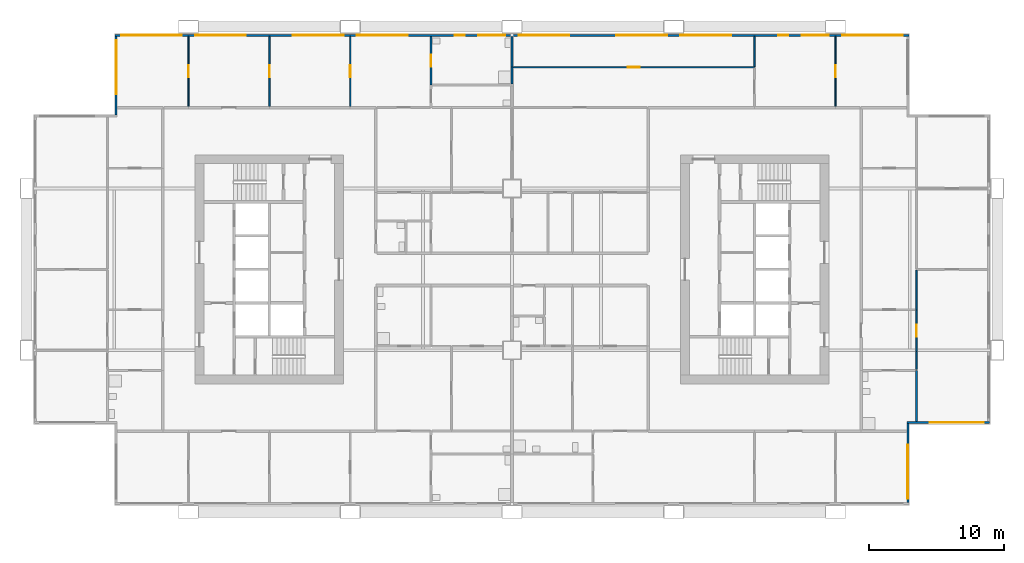
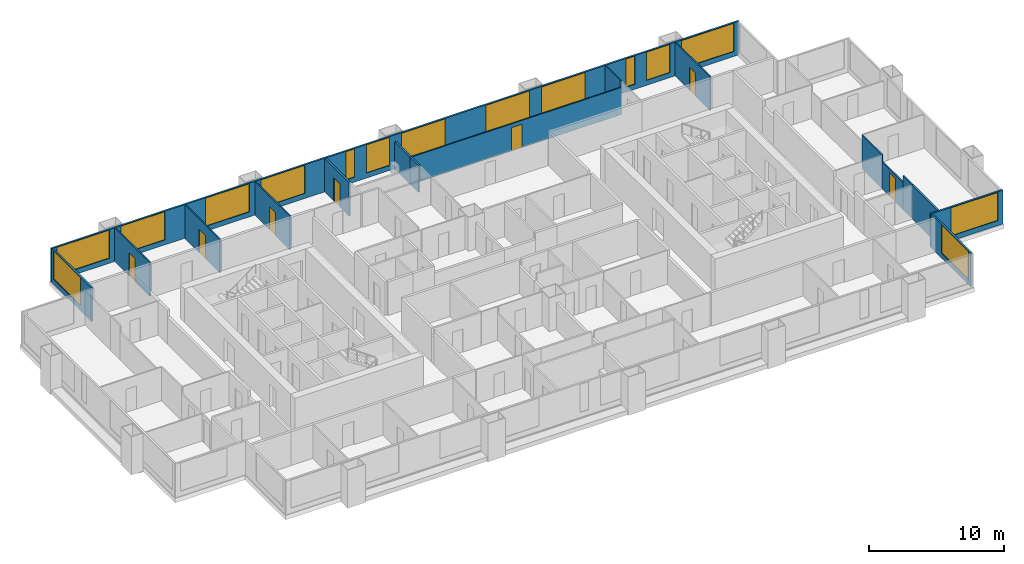
# One storey, part 8 of 11: 17 walls, 15 windows, 7 doors, 22 openings.
"""IFC4 building model written with IfcOpenShell, lengths in metres."""

import ifcopenshell
import ifcopenshell.guid

model = None  # the IFC model being written
_history = None  # IfcOwnerHistory: only IFC2X3 demands one
_inside = {}  # id of a spatial element -> (the spatial element, [elements in it])
_under = {}  # id of a project, library or spatial element -> (it, [spatial elements below it])
_declared = {}  # id of a project -> (the project, [libraries it declares])
_typed = {}  # id of a type object -> (the type object, [elements of that type])
_made_of = {}  # id of a material, layer set ... -> (it, [elements and type objects made of it])


def new_model(schema):
    """Start an empty IFC model of exactly this schema.

    Asked for "IFC4X3", IfcOpenShell would pick the latest addendum, in which some entities
    have other attributes; the version numbers below select the first issue.
    IFC2X3 requires an IfcOwnerHistory on every rooted entity: one is made here for all.
    """
    global model, _history
    if schema == "IFC4X3":
        model = ifcopenshell.file(schema_version=(4, 3, 0, 0))
    else:
        model = ifcopenshell.file(schema=schema)
    _inside.clear()
    _under.clear()
    _declared.clear()
    _typed.clear()
    _made_of.clear()
    _history = None
    if model.schema == "IFC2X3":
        org = make("IfcOrganization", Name="unknown")
        user = make(
            "IfcPersonAndOrganization",
            ThePerson=make("IfcPerson", FamilyName="unknown"),
            TheOrganization=org,
        )
        app = make(
            "IfcApplication",
            ApplicationDeveloper=org,
            Version="unknown",
            ApplicationFullName="unknown",
            ApplicationIdentifier="unknown",
        )
        _history = make(
            "IfcOwnerHistory",
            OwningUser=user,
            OwningApplication=app,
            ChangeAction="ADDED",
            CreationDate=0,
        )
    return model


def make(cls, **values):
    """One entity of the class cls with the attributes given. An attribute that is None is left unset."""
    return model.create_entity(
        cls, **{name: value for name, value in values.items() if value is not None}
    )


def rooted(cls, **values):
    """An entity with a GlobalId (a new one), such as an element, a storey or a relation."""
    return make(cls, GlobalId=ifcopenshell.guid.new(), OwnerHistory=_history, **values)


def si_unit(unit_type, name, prefix=None):
    """IfcSIUnit, for example si_unit("LENGTHUNIT", "METRE", prefix="MILLI")."""
    return make("IfcSIUnit", UnitType=unit_type, Prefix=prefix, Name=name)


def assignment(units):
    """IfcUnitAssignment: the units of a project."""
    return None if units is None else make("IfcUnitAssignment", Units=units)


def point(xyz):
    """IfcCartesianPoint."""
    return None if xyz is None else make("IfcCartesianPoint", Coordinates=xyz)


def direction(xyz):
    """IfcDirection."""
    return None if xyz is None else make("IfcDirection", DirectionRatios=xyz)


def frame(location, z_axis=None, x_axis=None):
    """IfcAxis2Placement3D, a coordinate frame: its origin and axes. An axis left out is left unset."""
    return make(
        "IfcAxis2Placement3D",
        Location=point(location),
        Axis=direction(z_axis),
        RefDirection=direction(x_axis),
    )


def frame_2d(location, x_axis=None):
    """IfcAxis2Placement2D, a coordinate frame in the plane: its origin and x axis."""
    return make(
        "IfcAxis2Placement2D", Location=point(location), RefDirection=direction(x_axis)
    )


def origin():
    """The frame at (0, 0, 0) with its axes left unset."""
    return frame((0.0, 0.0, 0.0))


def place(relative_to, where):
    """IfcLocalPlacement: puts the frame where relative to a parent placement (None: the world)."""
    return make(
        "IfcLocalPlacement", PlacementRelTo=relative_to, RelativePlacement=where
    )


def context(
    kind, dimensions, precision=None, world=None, true_north=None, identifier=None
):
    """IfcGeometricRepresentationContext, for example the 3D "Model" context."""
    return make(
        "IfcGeometricRepresentationContext",
        ContextIdentifier=identifier,
        ContextType=kind,
        CoordinateSpaceDimension=dimensions,
        Precision=precision,
        WorldCoordinateSystem=world,
        TrueNorth=true_north,
    )


def subcontext(parent, identifier, kind, view, scale=None):
    """IfcGeometricRepresentationSubContext, for example "Body" below "Model"."""
    return make(
        "IfcGeometricRepresentationSubContext",
        ContextIdentifier=identifier,
        ContextType=kind,
        ParentContext=parent,
        TargetScale=scale,
        TargetView=view,
    )


def project(units=None, contexts=None):
    """IfcProject with its units and contexts."""
    return rooted(
        "IfcProject",
        Name="project",
        RepresentationContexts=contexts,
        UnitsInContext=assignment(units),
    )


def spatial(cls, under=None, at=None, **own):
    """A site, building, storey or space (cls), placed at a placement, below another one or the project."""
    s = rooted(cls, ObjectPlacement=at, **own)
    if under is not None:
        _under.setdefault(under.id(), (under, []))[1].append(s)
    return s


def profile(cls, at=None, kind="AREA", **sizes):
    """A parametric profile (cls). Its sizes go by their IFC names, for example OverallWidth=200.0."""
    return make(cls, ProfileType=kind, Position=at, **sizes)


def rectangle(**sizes):
    """IfcRectangleProfileDef."""
    return profile("IfcRectangleProfileDef", **sizes)


def extrude(swept, where, along, depth):
    """IfcExtrudedAreaSolid: the profile swept, set in the frame where, extruded along a direction by depth."""
    return make(
        "IfcExtrudedAreaSolid",
        SweptArea=swept,
        Position=where,
        ExtrudedDirection=direction(along),
        Depth=depth,
    )


def shape(context_of_items, identifier, shape_type, items):
    """IfcShapeRepresentation: the items that make up one representation, for example the "Body"."""
    return make(
        "IfcShapeRepresentation",
        ContextOfItems=context_of_items,
        RepresentationIdentifier=identifier,
        RepresentationType=shape_type,
        Items=items,
    )


def material(Name=None, Category=None):
    """IfcMaterial."""
    return make("IfcMaterial", Name=Name, Category=Category)


def layer(
    of_material, thickness, ventilated=None, Name=None, Category=None, Priority=None
):
    """IfcMaterialLayer: one layer of a wall or slab, of a material (None: an air gap)."""
    return make(
        "IfcMaterialLayer",
        Material=of_material,
        LayerThickness=thickness,
        IsVentilated=ventilated,
        Name=Name,
        Category=Category,
        Priority=Priority,
    )


def layer_set(layers, Name=None):
    """IfcMaterialLayerSet."""
    return make("IfcMaterialLayerSet", MaterialLayers=layers, LayerSetName=Name)


def made_of(thing, what):
    """Note that an element or type object is made of a material, layer set ...; save() writes the relation."""
    if what is not None:
        _made_of.setdefault(what.id(), (what, []))[1].append(thing)
    return thing


def type_object(cls, material=None, **own):
    """A type object (cls), such as IfcWallType, which elements share."""
    return made_of(rooted(cls, **own), material)


def element(
    cls,
    number,
    at=None,
    inside=None,
    cuts=None,
    type_object=None,
    material=None,
    context=None,
    identifier="Body",
    shape_type=None,
    held_by="IfcProductDefinitionShape",
    body=None,
    shapes=None,
    **own,
):
    """One element of the class cls, such as IfcWall. Its Tag is "e" and its number.

    at: its placement. inside: the storey or other place that contains it. cuts: it is an
    opening in that element (IfcRelVoidsElement). A single representation is given by context,
    identifier, shape_type and body (its items); several are given by shapes. held_by: the class
    of the entity that holds the representations. save() writes the other relations.
    """
    e = rooted(cls, Tag="e%d" % number, ObjectPlacement=at, **own)
    if body is not None:
        shapes = [shape(context, identifier, shape_type, body)]
    if shapes is not None:
        e.Representation = make(held_by, Representations=shapes)
    if inside is not None:
        _inside.setdefault(inside.id(), (inside, []))[1].append(e)
    if cuts is not None:
        rooted(
            "IfcRelVoidsElement", RelatingBuildingElement=cuts, RelatedOpeningElement=e
        )
    if type_object is not None:
        _typed.setdefault(type_object.id(), (type_object, []))[1].append(e)
    return made_of(e, material)


def fill(opening, filler):
    """IfcRelFillsElement: the door or window that sits in an opening."""
    return rooted(
        "IfcRelFillsElement",
        RelatingOpeningElement=opening,
        RelatedBuildingElement=filler,
    )


def aggregate(whole, parts):
    """IfcRelAggregates: a whole, such as a stair, and the parts it consists of."""
    return rooted("IfcRelAggregates", RelatingObject=whole, RelatedObjects=parts)


def save(model, path):
    """Write the relations noted so far, then the file.

    IfcRelAggregates (storeys below a building ...), IfcRelContainedInSpatialStructure (elements
    in a storey), IfcRelDefinesByType, IfcRelAssociatesMaterial and IfcRelDeclares: one each for
    every whole, place, type object, material and project.
    """
    for whole, parts in _under.values():
        aggregate(whole, parts)
    for where, things in _inside.values():
        rooted(
            "IfcRelContainedInSpatialStructure",
            RelatedElements=things,
            RelatingStructure=where,
        )
    for kind, things in _typed.values():
        rooted("IfcRelDefinesByType", RelatedObjects=things, RelatingType=kind)
    for what, things in _made_of.values():
        rooted("IfcRelAssociatesMaterial", RelatedObjects=things, RelatingMaterial=what)
    for by, libraries in _declared.values():
        rooted("IfcRelDeclares", RelatingContext=by, RelatedDefinitions=libraries)
    model.write(path)


model = new_model("IFC4")

# Units and contexts
model_context = context("Model", 3, precision=1e-05, world=origin(), true_north=direction((0.0, 1.0)))
body_context = subcontext(model_context, "Body", "Model", "MODEL_VIEW")
ifc_project = project(units=[si_unit("LENGTHUNIT", "METRE"), si_unit("AREAUNIT", "SQUARE_METRE"), si_unit("VOLUMEUNIT", "CUBIC_METRE"), si_unit("PLANEANGLEUNIT", "RADIAN"), si_unit("MASSUNIT", "GRAM", prefix="KILO")], contexts=[model_context])

# Site, building, storey
site_placement = place(None, origin())
site = spatial("IfcSite", under=ifc_project, at=site_placement, CompositionType="ELEMENT")
building_placement = place(site_placement, origin())
building = spatial("IfcBuilding", under=site, at=building_placement, Name="Kitamizu Gate Tower and Museum", CompositionType="ELEMENT")
storey_placement = place(building_placement, frame((0.0, 0.0, 103.5)))
storey = spatial("IfcBuildingStorey", under=building, at=storey_placement, Name="L26", CompositionType="ELEMENT", Elevation=103.5)

# Wall, opening, door
ifc_material_1 = material(Name="Gypsum board on galvanised stud")
ifc_layer_1 = layer(ifc_material_1, 0.10009765625)
ifc_layer_set_1 = layer_set([ifc_layer_1], Name="Gypsum board on galvanised stud")
wall_type_1 = type_object("IfcWallType", Name="Partition 100 NOT RATED", PredefinedType="PARTITIONING", material=ifc_layer_set_1)
wall_1_placement = place(storey_placement, frame((66.0, 27.0, 0.0), z_axis=(0.0, 0.0, 1.0), x_axis=(0.0, -1.0, 0.0)))
wall_1 = element("IfcWall", 1, at=wall_1_placement, inside=storey, type_object=wall_type_1, Name="Partition L26-076", PredefinedType="PARTITIONING", context=body_context, shape_type="SweptSolid", body=[
    extrude(rectangle(XDim=3.10009765625, YDim=0.10009765625, at=frame_2d((1.550048828125, 0.0))), origin(), (0.0, 0.0, 1.0), 2.449951171875),
])
opening_1_placement = place(wall_1_placement, frame((1.10009765625, 0.0, 0.0)))
opening_1 = element("IfcOpeningElement", 2, at=opening_1_placement, cuts=wall_1, Name="Opening L26-030", PredefinedType="OPENING", context=body_context, shape_type="SweptSolid", body=[
    extrude(rectangle(XDim=0.89990234375, YDim=2.10009765625, at=frame_2d((0.449951171875, 1.050048828125))), frame((0.0, 0.06005859375, 0.0), z_axis=(0.0, -1.0, 0.0), x_axis=(1.0, 0.0, 0.0)), (0.0, 0.0, 1.0), 0.1201171875),
])
ifc_material_2 = material(Name="Timber door set", Category="wood")
door_type_1 = type_object("IfcDoorType", Name="Room door 900", OperationType="NOTDEFINED", PredefinedType="DOOR", material=ifc_material_2)
door_1_placement = place(opening_1_placement, origin())
door_1 = element("IfcDoor", 3, at=door_1_placement, inside=storey, type_object=door_type_1, Name="Door L26-030", OperationType="SINGLE_SWING_RIGHT", OverallHeight=2.10009765625, OverallWidth=0.89990234375, PredefinedType="DOOR", context=body_context, shape_type="SweptSolid", body=[
    extrude(rectangle(XDim=0.89990234375, YDim=2.10009765625, at=frame_2d((0.449951171875, 1.050048828125))), frame((0.0, 0.02490234375, 0.0), z_axis=(0.0, -1.0, 0.0), x_axis=(1.0, 0.0, 0.0)), (0.0, 0.0, 1.0), 0.050048828125),
])
fill(opening_1, door_1)

# Walls
wall_2_placement = place(storey_placement, frame((66.0, 23.89990234375, 0.0), z_axis=(0.0, 0.0, 1.0), x_axis=(0.0, -1.0, 0.0)))
element("IfcWall", 4, at=wall_2_placement, inside=storey, type_object=wall_type_1, Name="Partition L26-077", PredefinedType="PARTITIONING", context=body_context, shape_type="SweptSolid", body=[
    extrude(rectangle(XDim=1.324951171875, YDim=0.10009765625, at=frame_2d((0.66259765625, 0.0))), origin(), (0.0, 0.0, 1.0), 3.050048828125),
])
wall_3_placement = place(storey_placement, frame((66.0, 29.949951171875, 0.0), z_axis=(0.0, 0.0, 1.0), x_axis=(0.0, -1.0, 0.0)))
element("IfcWall", 5, at=wall_3_placement, inside=storey, type_object=wall_type_1, Name="Partition L26-078", PredefinedType="PARTITIONING", context=body_context, shape_type="SweptSolid", body=[
    extrude(rectangle(XDim=2.949951171875, YDim=0.10009765625, at=frame_2d((1.47509765625, 0.0))), origin(), (0.0, 0.0, 1.0), 3.050048828125),
])

# Wall, opening, door
wall_4_placement = place(storey_placement, frame((12.0, 42.10009765625, 0.0), z_axis=(0.0, 0.0, 1.0), x_axis=(0.0, 1.0, 0.0)))
wall_4 = element("IfcWall", 6, at=wall_4_placement, inside=storey, type_object=wall_type_1, Name="Partition L26-093", PredefinedType="PARTITIONING", context=body_context, shape_type="SweptSolid", body=[
    extrude(rectangle(XDim=5.179931640625, YDim=0.10009765625, at=frame_2d((2.58984375, 0.0))), origin(), (0.0, 0.0, 1.0), 3.050048828125),
])
opening_2_placement = place(wall_4_placement, frame((2.139892578125, 0.0, 0.0)))
opening_2 = element("IfcOpeningElement", 7, at=opening_2_placement, cuts=wall_4, Name="Opening L26-037", PredefinedType="OPENING", context=body_context, shape_type="SweptSolid", body=[
    extrude(rectangle(XDim=0.89990234375, YDim=2.10009765625, at=frame_2d((0.449951171875, 1.050048828125))), frame((0.0, 0.06005859375, 0.0), z_axis=(0.0, -1.0, 0.0), x_axis=(1.0, 0.0, 0.0)), (0.0, 0.0, 1.0), 0.1201171875),
])
door_2_placement = place(opening_2_placement, origin())
door_2 = element("IfcDoor", 8, at=door_2_placement, inside=storey, type_object=door_type_1, Name="Door L26-037", OperationType="SINGLE_SWING_LEFT", OverallHeight=2.10009765625, OverallWidth=0.89990234375, PredefinedType="DOOR", context=body_context, shape_type="SweptSolid", body=[
    extrude(rectangle(XDim=0.89990234375, YDim=2.10009765625, at=frame_2d((0.449951171875, 1.050048828125))), frame((0.0, 0.02490234375, 0.0), z_axis=(0.0, -1.0, 0.0), x_axis=(1.0, 0.0, 0.0)), (0.0, 0.0, 1.0), 0.050048828125),
])
fill(opening_2, door_2)

wall_5_placement = place(storey_placement, frame((18.0, 42.10009765625, 0.0), z_axis=(0.0, 0.0, 1.0), x_axis=(0.0, 1.0, 0.0)))
wall_5 = element("IfcWall", 9, at=wall_5_placement, inside=storey, type_object=wall_type_1, Name="Partition L26-095", PredefinedType="PARTITIONING", context=body_context, shape_type="SweptSolid", body=[
    extrude(rectangle(XDim=5.179931640625, YDim=0.10009765625, at=frame_2d((2.58984375, 0.0))), origin(), (0.0, 0.0, 1.0), 3.050048828125),
])
opening_3_placement = place(wall_5_placement, frame((2.139892578125, 0.0, 0.0)))
opening_3 = element("IfcOpeningElement", 10, at=opening_3_placement, cuts=wall_5, Name="Opening L26-038", PredefinedType="OPENING", context=body_context, shape_type="SweptSolid", body=[
    extrude(rectangle(XDim=0.89990234375, YDim=2.10009765625, at=frame_2d((0.449951171875, 1.050048828125))), frame((0.0, 0.06005859375, 0.0), z_axis=(0.0, -1.0, 0.0), x_axis=(1.0, 0.0, 0.0)), (0.0, 0.0, 1.0), 0.1201171875),
])
door_3_placement = place(opening_3_placement, frame((0.89990234375, 0.0, 0.0), x_axis=(-1.0, 0.0, 0.0)))
door_3 = element("IfcDoor", 11, at=door_3_placement, inside=storey, type_object=door_type_1, Name="Door L26-038", OperationType="SINGLE_SWING_LEFT", OverallHeight=2.10009765625, OverallWidth=0.89990234375, PredefinedType="DOOR", context=body_context, shape_type="SweptSolid", body=[
    extrude(rectangle(XDim=0.89990234375, YDim=2.10009765625, at=frame_2d((0.449951171875, 1.050048828125))), frame((0.0, 0.02490234375, 0.0), z_axis=(0.0, -1.0, 0.0), x_axis=(1.0, 0.0, 0.0)), (0.0, 0.0, 1.0), 0.050048828125),
])
fill(opening_3, door_3)

wall_6_placement = place(storey_placement, frame((24.0, 42.10009765625, 0.0), z_axis=(0.0, 0.0, 1.0), x_axis=(0.0, 1.0, 0.0)))
wall_6 = element("IfcWall", 12, at=wall_6_placement, inside=storey, type_object=wall_type_1, Name="Partition L26-097", PredefinedType="PARTITIONING", context=body_context, shape_type="SweptSolid", body=[
    extrude(rectangle(XDim=5.179931640625, YDim=0.10009765625, at=frame_2d((2.58984375, 0.0))), origin(), (0.0, 0.0, 1.0), 3.050048828125),
])
opening_4_placement = place(wall_6_placement, frame((2.139892578125, 0.0, 0.0)))
opening_4 = element("IfcOpeningElement", 13, at=opening_4_placement, cuts=wall_6, Name="Opening L26-039", PredefinedType="OPENING", context=body_context, shape_type="SweptSolid", body=[
    extrude(rectangle(XDim=0.89990234375, YDim=2.10009765625, at=frame_2d((0.449951171875, 1.050048828125))), frame((0.0, 0.06005859375, 0.0), z_axis=(0.0, -1.0, 0.0), x_axis=(1.0, 0.0, 0.0)), (0.0, 0.0, 1.0), 0.1201171875),
])
door_4_placement = place(opening_4_placement, origin())
door_4 = element("IfcDoor", 14, at=door_4_placement, inside=storey, type_object=door_type_1, Name="Door L26-039", OperationType="SINGLE_SWING_LEFT", OverallHeight=2.10009765625, OverallWidth=0.89990234375, PredefinedType="DOOR", context=body_context, shape_type="SweptSolid", body=[
    extrude(rectangle(XDim=0.89990234375, YDim=2.10009765625, at=frame_2d((0.449951171875, 1.050048828125))), frame((0.0, 0.02490234375, 0.0), z_axis=(0.0, -1.0, 0.0), x_axis=(1.0, 0.0, 0.0)), (0.0, 0.0, 1.0), 0.050048828125),
])
fill(opening_4, door_4)

wall_7_placement = place(storey_placement, frame((54.0, 45.0, 0.0), z_axis=(0.0, 0.0, 1.0), x_axis=(-1.0, 0.0, 0.0)))
wall_7 = element("IfcWall", 15, at=wall_7_placement, inside=storey, type_object=wall_type_1, Name="Partition L26-109", PredefinedType="PARTITIONING", context=body_context, shape_type="SweptSolid", body=[
    extrude(rectangle(XDim=17.925048828125, YDim=0.10009765625, at=frame_2d((8.96240234375, 0.0))), origin(), (0.0, 0.0, 1.0), 2.449951171875),
])
opening_5_placement = place(wall_7_placement, frame((8.512451171875, 0.0, 0.0)))
opening_5 = element("IfcOpeningElement", 16, at=opening_5_placement, cuts=wall_7, Name="Opening L26-051", PredefinedType="OPENING", context=body_context, shape_type="SweptSolid", body=[
    extrude(rectangle(XDim=0.89990234375, YDim=2.10009765625, at=frame_2d((0.449951171875, 1.050048828125))), frame((0.0, 0.06005859375, 0.0), z_axis=(0.0, -1.0, 0.0), x_axis=(1.0, 0.0, 0.0)), (0.0, 0.0, 1.0), 0.1201171875),
])
door_5_placement = place(opening_5_placement, frame((0.89990234375, 0.0, 0.0), x_axis=(-1.0, 0.0, 0.0)))
door_5 = element("IfcDoor", 17, at=door_5_placement, inside=storey, type_object=door_type_1, Name="Door L26-051", OperationType="SINGLE_SWING_LEFT", OverallHeight=2.10009765625, OverallWidth=0.89990234375, PredefinedType="DOOR", context=body_context, shape_type="SweptSolid", body=[
    extrude(rectangle(XDim=0.89990234375, YDim=2.10009765625, at=frame_2d((0.449951171875, 1.050048828125))), frame((0.0, 0.02490234375, 0.0), z_axis=(0.0, -1.0, 0.0), x_axis=(1.0, 0.0, 0.0)), (0.0, 0.0, 1.0), 0.050048828125),
])
fill(opening_5, door_5)

# Wall
wall_8_placement = place(storey_placement, frame((54.0, 45.050048828125, 0.0), z_axis=(0.0, 0.0, 1.0), x_axis=(0.0, 1.0, 0.0)))
element("IfcWall", 18, at=wall_8_placement, inside=storey, type_object=wall_type_1, Name="Partition L26-113", PredefinedType="PARTITIONING", context=body_context, shape_type="SweptSolid", body=[
    extrude(rectangle(XDim=2.22998046875, YDim=0.10009765625, at=frame_2d((1.114990234375, 0.0))), origin(), (0.0, 0.0, 1.0), 3.050048828125),
])

# Wall, opening, door
wall_9_placement = place(storey_placement, frame((60.0, 42.10009765625, 0.0), z_axis=(0.0, 0.0, 1.0), x_axis=(0.0, 1.0, 0.0)))
wall_9 = element("IfcWall", 19, at=wall_9_placement, inside=storey, type_object=wall_type_1, Name="Partition L26-114", PredefinedType="PARTITIONING", context=body_context, shape_type="SweptSolid", body=[
    extrude(rectangle(XDim=5.179931640625, YDim=0.10009765625, at=frame_2d((2.58984375, 0.0))), origin(), (0.0, 0.0, 1.0), 3.050048828125),
])
opening_6_placement = place(wall_9_placement, frame((2.139892578125, 0.0, 0.0)))
opening_6 = element("IfcOpeningElement", 20, at=opening_6_placement, cuts=wall_9, Name="Opening L26-053", PredefinedType="OPENING", context=body_context, shape_type="SweptSolid", body=[
    extrude(rectangle(XDim=0.89990234375, YDim=2.10009765625, at=frame_2d((0.449951171875, 1.050048828125))), frame((0.0, 0.06005859375, 0.0), z_axis=(0.0, -1.0, 0.0), x_axis=(1.0, 0.0, 0.0)), (0.0, 0.0, 1.0), 0.1201171875),
])
door_6_placement = place(opening_6_placement, frame((0.89990234375, 0.0, 0.0), x_axis=(-1.0, 0.0, 0.0)))
door_6 = element("IfcDoor", 21, at=door_6_placement, inside=storey, type_object=door_type_1, Name="Door L26-053", OperationType="SINGLE_SWING_RIGHT", OverallHeight=2.10009765625, OverallWidth=0.89990234375, PredefinedType="DOOR", context=body_context, shape_type="SweptSolid", body=[
    extrude(rectangle(XDim=0.89990234375, YDim=2.10009765625, at=frame_2d((0.449951171875, 1.050048828125))), frame((0.0, 0.02490234375, 0.0), z_axis=(0.0, -1.0, 0.0), x_axis=(1.0, 0.0, 0.0)), (0.0, 0.0, 1.0), 0.050048828125),
])
fill(opening_6, door_6)

# Wall
ifc_material_3 = material(Name="Gypsum board on galvanised stud")
ifc_layer_2 = layer(ifc_material_3, 0.14990234375)
ifc_layer_set_2 = layer_set([ifc_layer_2], Name="Gypsum board on galvanised stud")
wall_type_2 = type_object("IfcWallType", Name="Partition 150", PredefinedType="PARTITIONING", material=ifc_layer_set_2)
wall_10_placement = place(storey_placement, frame((66.0, 22.5, 0.0), z_axis=(0.0, 0.0, 1.0), x_axis=(0.0, -1.0, 0.0)))
element("IfcWall", 22, at=wall_10_placement, inside=storey, type_object=wall_type_2, Name="Partition L26-075", PredefinedType="PARTITIONING", context=body_context, shape_type="SweptSolid", body=[
    extrude(rectangle(XDim=3.780029296875, YDim=0.14990234375, at=frame_2d((1.89013671875, 0.0))), origin(), (0.0, 0.0, 1.0), 3.050048828125),
])

# Wall, opening, door
wall_11_placement = place(storey_placement, frame((30.0, 43.679931640625, 0.0), z_axis=(0.0, 0.0, 1.0), x_axis=(0.0, 1.0, 0.0)))
wall_11 = element("IfcWall", 23, at=wall_11_placement, inside=storey, type_object=wall_type_2, Name="Partition L26-099", PredefinedType="PARTITIONING", context=body_context, shape_type="SweptSolid", body=[
    extrude(rectangle(XDim=3.60009765625, YDim=0.14990234375, at=frame_2d((1.800048828125, 0.0))), origin(), (0.0, 0.0, 1.0), 3.050048828125),
])
opening_7_placement = place(wall_11_placement, frame((1.35009765625, 0.0, 0.0)))
opening_7 = element("IfcOpeningElement", 24, at=opening_7_placement, cuts=wall_11, Name="Opening L26-040", PredefinedType="OPENING", context=body_context, shape_type="SweptSolid", body=[
    extrude(rectangle(XDim=0.89990234375, YDim=2.10009765625, at=frame_2d((0.449951171875, 1.050048828125))), frame((0.0, 0.0849609375, 0.0), z_axis=(0.0, -1.0, 0.0), x_axis=(1.0, 0.0, 0.0)), (0.0, 0.0, 1.0), 0.169921875),
])
ifc_material_4 = material(Name="Timber door set", Category="wood")
door_type_2 = type_object("IfcDoorType", Name="Bathroom door 900", OperationType="NOTDEFINED", PredefinedType="DOOR", material=ifc_material_4)
door_7_placement = place(opening_7_placement, frame((0.89990234375, 0.0, 0.0), x_axis=(-1.0, 0.0, 0.0)))
door_7 = element("IfcDoor", 25, at=door_7_placement, inside=storey, type_object=door_type_2, Name="Bathroom door L26-040", OperationType="SINGLE_SWING_LEFT", OverallHeight=2.10009765625, OverallWidth=0.89990234375, PredefinedType="DOOR", context=body_context, shape_type="SweptSolid", body=[
    extrude(rectangle(XDim=0.89990234375, YDim=2.10009765625, at=frame_2d((0.449951171875, 1.050048828125))), frame((0.0, 0.02490234375, 0.0), z_axis=(0.0, -1.0, 0.0), x_axis=(1.0, 0.0, 0.0)), (0.0, 0.0, 1.0), 0.050048828125),
])
fill(opening_7, door_7)

# Walls
wall_12_placement = place(storey_placement, frame((36.0, 43.7548828125, 0.0), z_axis=(0.0, 0.0, 1.0), x_axis=(0.0, 1.0, 0.0)))
element("IfcWall", 26, at=wall_12_placement, inside=storey, type_object=wall_type_2, Name="Partition L26-104", PredefinedType="PARTITIONING", context=body_context, shape_type="SweptSolid", body=[
    extrude(rectangle(XDim=1.2451171875, YDim=0.14990234375, at=frame_2d((0.62255859375, 0.0))), origin(), (0.0, 0.0, 1.0), 2.449951171875),
])
wall_13_placement = place(storey_placement, frame((36.0, 45.0, 0.0), z_axis=(0.0, 0.0, 1.0), x_axis=(0.0, 1.0, 0.0)))
element("IfcWall", 27, at=wall_13_placement, inside=storey, type_object=wall_type_2, Name="Partition L26-105", PredefinedType="PARTITIONING", context=body_context, shape_type="SweptSolid", body=[
    extrude(rectangle(XDim=2.280029296875, YDim=0.14990234375, at=frame_2d((1.14013671875, 0.0))), origin(), (0.0, 0.0, 1.0), 2.449951171875),
])

# Wall, opening, window
ifc_material_5 = material(Name="Bronze anodised aluminium frame with insulated spandrel and tinted glass", Category="aluminium")
ifc_layer_3 = layer(ifc_material_5, 0.14990234375)
ifc_layer_set_3 = layer_set([ifc_layer_3], Name="Bronze anodised aluminium frame with insulated spandrel and tinted glass")
wall_type_3 = type_object("IfcWallType", Name="WINDOW WALL 150 BRONZE FRAME EI 30", PredefinedType="ELEMENTEDWALL", material=ifc_layer_set_3)
wall_14_placement = place(storey_placement, frame((65.364990234375, 12.7099609375, 0.0), z_axis=(0.0, 0.0, 1.0), x_axis=(0.0, 1.0, 0.0)))
wall_14 = element("IfcWall", 28, at=wall_14_placement, inside=storey, type_object=wall_type_3, Name="Window wall east L26", PredefinedType="ELEMENTEDWALL", context=body_context, shape_type="SweptSolid", body=[
    extrude(rectangle(XDim=5.85009765625, YDim=0.14990234375, at=frame_2d((2.925048828125, 0.0))), origin(), (0.0, 0.0, 1.0), 3.050048828125),
])
opening_8_placement = place(wall_14_placement, frame((0.2900390625, 0.0, 0.449951171875)))
opening_8 = element("IfcOpeningElement", 29, at=opening_8_placement, cuts=wall_14, Name="Opening W16", PredefinedType="OPENING", context=body_context, shape_type="SweptSolid", body=[
    extrude(rectangle(XDim=4.0, YDim=2.550048828125, at=frame_2d((2.0, 1.27490234375))), frame((0.0, 0.0849609375, 0.0), z_axis=(0.0, -1.0, 0.0), x_axis=(1.0, 0.0, 0.0)), (0.0, 0.0, 1.0), 0.169921875),
])
ifc_material_6 = material(Name="Bronze anodised aluminium frame, tinted triple glazing", Category="aluminium")
window_type_1 = type_object("IfcWindowType", Name="WINDOW 4000 x 2550 SILL 450", PartitioningType="SINGLE_PANEL", PredefinedType="WINDOW", material=ifc_material_6)
window_1_placement = place(opening_8_placement, origin())
window_1 = element("IfcWindow", 30, at=window_1_placement, inside=storey, type_object=window_type_1, Name="Window W16 L26", OverallHeight=2.550048828125, OverallWidth=4.0, PartitioningType="SINGLE_PANEL", PredefinedType="WINDOW", context=body_context, shape_type="SweptSolid", body=[
    extrude(rectangle(XDim=4.0, YDim=2.550048828125, at=frame_2d((2.0, 1.27490234375))), frame((0.0, 0.030029296875, 0.0), z_axis=(0.0, -1.0, 0.0), x_axis=(1.0, 0.0, 0.0)), (0.0, 0.0, 1.0), 0.06005859375),
])
fill(opening_8, window_1)

wall_15_placement = place(storey_placement, frame((65.2900390625, 18.635009765625, 0.0), z_axis=(0.0, 0.0, 1.0), x_axis=(1.0, 0.0, 0.0)))
wall_15 = element("IfcWall", 31, at=wall_15_placement, inside=storey, type_object=wall_type_3, Name="Window wall south L26", PredefinedType="ELEMENTEDWALL", context=body_context, shape_type="SweptSolid", body=[
    extrude(rectangle(XDim=6.14990234375, YDim=0.14990234375, at=frame_2d((3.074951171875, 0.0))), origin(), (0.0, 0.0, 1.0), 3.050048828125),
])
opening_9_placement = place(wall_15_placement, frame((1.7099609375, 0.0, 0.449951171875)))
opening_9 = element("IfcOpeningElement", 32, at=opening_9_placement, cuts=wall_15, Name="Opening W16", PredefinedType="OPENING", context=body_context, shape_type="SweptSolid", body=[
    extrude(rectangle(XDim=4.0, YDim=2.550048828125, at=frame_2d((2.0, 1.27490234375))), frame((0.0, 0.0849609375, 0.0), z_axis=(0.0, -1.0, 0.0), x_axis=(1.0, 0.0, 0.0)), (0.0, 0.0, 1.0), 0.169921875),
])
window_2_placement = place(opening_9_placement, origin())
window_2 = element("IfcWindow", 33, at=window_2_placement, inside=storey, type_object=window_type_1, Name="Window W16 L26", OverallHeight=2.550048828125, OverallWidth=4.0, PartitioningType="SINGLE_PANEL", PredefinedType="WINDOW", context=body_context, shape_type="SweptSolid", body=[
    extrude(rectangle(XDim=4.0, YDim=2.550048828125, at=frame_2d((2.0, 1.27490234375))), frame((0.0, 0.030029296875, 0.0), z_axis=(0.0, -1.0, 0.0), x_axis=(1.0, 0.0, 0.0)), (0.0, 0.0, 1.0), 0.06005859375),
])
fill(opening_9, window_2)

# Wall, openings, windows
wall_16_placement = place(storey_placement, frame((6.56005859375, 47.364990234375, 0.0), z_axis=(0.0, 0.0, 1.0), x_axis=(1.0, 0.0, 0.0)))
wall_16 = element("IfcWall", 34, at=wall_16_placement, inside=storey, type_object=wall_type_3, Name="Window wall north L26", PredefinedType="ELEMENTEDWALL", context=body_context, shape_type="SweptSolid", body=[
    extrude(rectangle(XDim=58.8798828125, YDim=0.14990234375, at=frame_2d((29.43994140625, 0.0))), origin(), (0.0, 0.0, 1.0), 3.050048828125),
])
opening_10_placement = place(wall_16_placement, frame((0.43994140625, 0.0, 0.449951171875)))
opening_10 = element("IfcOpeningElement", 35, at=opening_10_placement, cuts=wall_16, Name="Opening W15", PredefinedType="OPENING", context=body_context, shape_type="SweptSolid", body=[
    extrude(rectangle(XDim=4.5, YDim=2.550048828125, at=frame_2d((2.25, 1.27490234375))), frame((0.0, 0.0849609375, 0.0), z_axis=(0.0, -1.0, 0.0), x_axis=(1.0, 0.0, 0.0)), (0.0, 0.0, 1.0), 0.169921875),
])
opening_11_placement = place(wall_16_placement, frame((5.93994140625, 0.0, 0.449951171875)))
opening_11 = element("IfcOpeningElement", 36, at=opening_11_placement, cuts=wall_16, Name="Opening W36", PredefinedType="OPENING", context=body_context, shape_type="SweptSolid", body=[
    extrude(rectangle(XDim=3.75, YDim=2.550048828125, at=frame_2d((1.875, 1.27490234375))), frame((0.0, 0.0849609375, 0.0), z_axis=(0.0, -1.0, 0.0), x_axis=(1.0, 0.0, 0.0)), (0.0, 0.0, 1.0), 0.169921875),
])
opening_12_placement = place(wall_16_placement, frame((13.18994140625, 0.0, 0.449951171875)))
opening_12 = element("IfcOpeningElement", 37, at=opening_12_placement, cuts=wall_16, Name="Opening W36", PredefinedType="OPENING", context=body_context, shape_type="SweptSolid", body=[
    extrude(rectangle(XDim=3.75, YDim=2.550048828125, at=frame_2d((1.875, 1.27490234375))), frame((0.0, 0.0849609375, 0.0), z_axis=(0.0, -1.0, 0.0), x_axis=(1.0, 0.0, 0.0)), (0.0, 0.0, 1.0), 0.169921875),
])
opening_13_placement = place(wall_16_placement, frame((17.93994140625, 0.0, 0.449951171875)))
opening_13 = element("IfcOpeningElement", 38, at=opening_13_placement, cuts=wall_16, Name="Opening W36", PredefinedType="OPENING", context=body_context, shape_type="SweptSolid", body=[
    extrude(rectangle(XDim=3.75, YDim=2.550048828125, at=frame_2d((1.875, 1.27490234375))), frame((0.0, 0.0849609375, 0.0), z_axis=(0.0, -1.0, 0.0), x_axis=(1.0, 0.0, 0.0)), (0.0, 0.0, 1.0), 0.169921875),
])
opening_14_placement = place(wall_16_placement, frame((25.18994140625, 0.0, 0.449951171875)))
opening_14 = element("IfcOpeningElement", 39, at=opening_14_placement, cuts=wall_16, Name="Opening W25", PredefinedType="OPENING", context=body_context, shape_type="SweptSolid", body=[
    extrude(rectangle(XDim=0.75, YDim=2.550048828125, at=frame_2d((0.375, 1.27490234375))), frame((0.0, 0.0849609375, 0.0), z_axis=(0.0, -1.0, 0.0), x_axis=(1.0, 0.0, 0.0)), (0.0, 0.0, 1.0), 0.169921875),
])
opening_15_placement = place(wall_16_placement, frame((26.93994140625, 0.0, 0.449951171875)))
opening_15 = element("IfcOpeningElement", 40, at=opening_15_placement, cuts=wall_16, Name="Opening W2", PredefinedType="OPENING", context=body_context, shape_type="SweptSolid", body=[
    extrude(rectangle(XDim=2.0, YDim=2.550048828125, at=frame_2d((1.0, 1.27490234375))), frame((0.0, 0.0849609375, 0.0), z_axis=(0.0, -1.0, 0.0), x_axis=(1.0, 0.0, 0.0)), (0.0, 0.0, 1.0), 0.169921875),
])
opening_16_placement = place(wall_16_placement, frame((29.93994140625, 0.0, 0.449951171875)))
opening_16 = element("IfcOpeningElement", 41, at=opening_16_placement, cuts=wall_16, Name="Opening W36", PredefinedType="OPENING", context=body_context, shape_type="SweptSolid", body=[
    extrude(rectangle(XDim=3.75, YDim=2.550048828125, at=frame_2d((1.875, 1.27490234375))), frame((0.0, 0.0849609375, 0.0), z_axis=(0.0, -1.0, 0.0), x_axis=(1.0, 0.0, 0.0)), (0.0, 0.0, 1.0), 0.169921875),
])
opening_17_placement = place(wall_16_placement, frame((37.18994140625, 0.0, 0.449951171875)))
opening_17 = element("IfcOpeningElement", 42, at=opening_17_placement, cuts=wall_16, Name="Opening W36", PredefinedType="OPENING", context=body_context, shape_type="SweptSolid", body=[
    extrude(rectangle(XDim=3.75, YDim=2.550048828125, at=frame_2d((1.875, 1.27490234375))), frame((0.0, 0.0849609375, 0.0), z_axis=(0.0, -1.0, 0.0), x_axis=(1.0, 0.0, 0.0)), (0.0, 0.0, 1.0), 0.169921875),
])
opening_18_placement = place(wall_16_placement, frame((41.93994140625, 0.0, 0.449951171875)))
opening_18 = element("IfcOpeningElement", 43, at=opening_18_placement, cuts=wall_16, Name="Opening W36", PredefinedType="OPENING", context=body_context, shape_type="SweptSolid", body=[
    extrude(rectangle(XDim=3.75, YDim=2.550048828125, at=frame_2d((1.875, 1.27490234375))), frame((0.0, 0.0849609375, 0.0), z_axis=(0.0, -1.0, 0.0), x_axis=(1.0, 0.0, 0.0)), (0.0, 0.0, 1.0), 0.169921875),
])
opening_19_placement = place(wall_16_placement, frame((49.18994140625, 0.0, 0.449951171875)))
opening_19 = element("IfcOpeningElement", 44, at=opening_19_placement, cuts=wall_16, Name="Opening W25", PredefinedType="OPENING", context=body_context, shape_type="SweptSolid", body=[
    extrude(rectangle(XDim=0.75, YDim=2.550048828125, at=frame_2d((0.375, 1.27490234375))), frame((0.0, 0.0849609375, 0.0), z_axis=(0.0, -1.0, 0.0), x_axis=(1.0, 0.0, 0.0)), (0.0, 0.0, 1.0), 0.169921875),
])
opening_20_placement = place(wall_16_placement, frame((50.93994140625, 0.0, 0.449951171875)))
opening_20 = element("IfcOpeningElement", 45, at=opening_20_placement, cuts=wall_16, Name="Opening W2", PredefinedType="OPENING", context=body_context, shape_type="SweptSolid", body=[
    extrude(rectangle(XDim=2.0, YDim=2.550048828125, at=frame_2d((1.0, 1.27490234375))), frame((0.0, 0.0849609375, 0.0), z_axis=(0.0, -1.0, 0.0), x_axis=(1.0, 0.0, 0.0)), (0.0, 0.0, 1.0), 0.169921875),
])
opening_21_placement = place(wall_16_placement, frame((53.93994140625, 0.0, 0.449951171875)))
opening_21 = element("IfcOpeningElement", 46, at=opening_21_placement, cuts=wall_16, Name="Opening W15", PredefinedType="OPENING", context=body_context, shape_type="SweptSolid", body=[
    extrude(rectangle(XDim=4.5, YDim=2.550048828125, at=frame_2d((2.25, 1.27490234375))), frame((0.0, 0.0849609375, 0.0), z_axis=(0.0, -1.0, 0.0), x_axis=(1.0, 0.0, 0.0)), (0.0, 0.0, 1.0), 0.169921875),
])
ifc_material_7 = material(Name="Bronze anodised aluminium frame, tinted triple glazing", Category="aluminium")
window_type_2 = type_object("IfcWindowType", Name="WINDOW 2000 x 2550 SILL 450", PartitioningType="SINGLE_PANEL", PredefinedType="WINDOW", material=ifc_material_7)
window_3_placement = place(opening_15_placement, origin())
window_3 = element("IfcWindow", 47, at=window_3_placement, inside=storey, type_object=window_type_2, Name="Window W2 L26", OverallHeight=2.550048828125, OverallWidth=2.0, PartitioningType="SINGLE_PANEL", PredefinedType="WINDOW", context=body_context, shape_type="SweptSolid", body=[
    extrude(rectangle(XDim=2.0, YDim=2.550048828125, at=frame_2d((1.0, 1.27490234375))), frame((0.0, 0.030029296875, 0.0), z_axis=(0.0, -1.0, 0.0), x_axis=(1.0, 0.0, 0.0)), (0.0, 0.0, 1.0), 0.06005859375),
])
fill(opening_15, window_3)
window_4_placement = place(opening_20_placement, origin())
window_4 = element("IfcWindow", 48, at=window_4_placement, inside=storey, type_object=window_type_2, Name="Window W2 L26", OverallHeight=2.550048828125, OverallWidth=2.0, PartitioningType="SINGLE_PANEL", PredefinedType="WINDOW", context=body_context, shape_type="SweptSolid", body=[
    extrude(rectangle(XDim=2.0, YDim=2.550048828125, at=frame_2d((1.0, 1.27490234375))), frame((0.0, 0.030029296875, 0.0), z_axis=(0.0, -1.0, 0.0), x_axis=(1.0, 0.0, 0.0)), (0.0, 0.0, 1.0), 0.06005859375),
])
fill(opening_20, window_4)
ifc_material_8 = material(Name="Bronze anodised aluminium frame, tinted triple glazing", Category="aluminium")
window_type_3 = type_object("IfcWindowType", Name="WINDOW 3750 x 2550 SILL 450", PartitioningType="SINGLE_PANEL", PredefinedType="WINDOW", material=ifc_material_8)
window_5_placement = place(opening_11_placement, origin())
window_5 = element("IfcWindow", 49, at=window_5_placement, inside=storey, type_object=window_type_3, Name="Window W36 L26", OverallHeight=2.550048828125, OverallWidth=3.75, PartitioningType="SINGLE_PANEL", PredefinedType="WINDOW", context=body_context, shape_type="SweptSolid", body=[
    extrude(rectangle(XDim=3.75, YDim=2.550048828125, at=frame_2d((1.875, 1.27490234375))), frame((0.0, 0.030029296875, 0.0), z_axis=(0.0, -1.0, 0.0), x_axis=(1.0, 0.0, 0.0)), (0.0, 0.0, 1.0), 0.06005859375),
])
fill(opening_11, window_5)
window_6_placement = place(opening_12_placement, origin())
window_6 = element("IfcWindow", 50, at=window_6_placement, inside=storey, type_object=window_type_3, Name="Window W36 L26", OverallHeight=2.550048828125, OverallWidth=3.75, PartitioningType="SINGLE_PANEL", PredefinedType="WINDOW", context=body_context, shape_type="SweptSolid", body=[
    extrude(rectangle(XDim=3.75, YDim=2.550048828125, at=frame_2d((1.875, 1.27490234375))), frame((0.0, 0.030029296875, 0.0), z_axis=(0.0, -1.0, 0.0), x_axis=(1.0, 0.0, 0.0)), (0.0, 0.0, 1.0), 0.06005859375),
])
fill(opening_12, window_6)
window_7_placement = place(opening_13_placement, origin())
window_7 = element("IfcWindow", 51, at=window_7_placement, inside=storey, type_object=window_type_3, Name="Window W36 L26", OverallHeight=2.550048828125, OverallWidth=3.75, PartitioningType="SINGLE_PANEL", PredefinedType="WINDOW", context=body_context, shape_type="SweptSolid", body=[
    extrude(rectangle(XDim=3.75, YDim=2.550048828125, at=frame_2d((1.875, 1.27490234375))), frame((0.0, 0.030029296875, 0.0), z_axis=(0.0, -1.0, 0.0), x_axis=(1.0, 0.0, 0.0)), (0.0, 0.0, 1.0), 0.06005859375),
])
fill(opening_13, window_7)
window_8_placement = place(opening_16_placement, origin())
window_8 = element("IfcWindow", 52, at=window_8_placement, inside=storey, type_object=window_type_3, Name="Window W36 L26", OverallHeight=2.550048828125, OverallWidth=3.75, PartitioningType="SINGLE_PANEL", PredefinedType="WINDOW", context=body_context, shape_type="SweptSolid", body=[
    extrude(rectangle(XDim=3.75, YDim=2.550048828125, at=frame_2d((1.875, 1.27490234375))), frame((0.0, 0.030029296875, 0.0), z_axis=(0.0, -1.0, 0.0), x_axis=(1.0, 0.0, 0.0)), (0.0, 0.0, 1.0), 0.06005859375),
])
fill(opening_16, window_8)
window_9_placement = place(opening_17_placement, origin())
window_9 = element("IfcWindow", 53, at=window_9_placement, inside=storey, type_object=window_type_3, Name="Window W36 L26", OverallHeight=2.550048828125, OverallWidth=3.75, PartitioningType="SINGLE_PANEL", PredefinedType="WINDOW", context=body_context, shape_type="SweptSolid", body=[
    extrude(rectangle(XDim=3.75, YDim=2.550048828125, at=frame_2d((1.875, 1.27490234375))), frame((0.0, 0.030029296875, 0.0), z_axis=(0.0, -1.0, 0.0), x_axis=(1.0, 0.0, 0.0)), (0.0, 0.0, 1.0), 0.06005859375),
])
fill(opening_17, window_9)
window_10_placement = place(opening_18_placement, origin())
window_10 = element("IfcWindow", 54, at=window_10_placement, inside=storey, type_object=window_type_3, Name="Window W36 L26", OverallHeight=2.550048828125, OverallWidth=3.75, PartitioningType="SINGLE_PANEL", PredefinedType="WINDOW", context=body_context, shape_type="SweptSolid", body=[
    extrude(rectangle(XDim=3.75, YDim=2.550048828125, at=frame_2d((1.875, 1.27490234375))), frame((0.0, 0.030029296875, 0.0), z_axis=(0.0, -1.0, 0.0), x_axis=(1.0, 0.0, 0.0)), (0.0, 0.0, 1.0), 0.06005859375),
])
fill(opening_18, window_10)
ifc_material_9 = material(Name="Bronze anodised aluminium frame, tinted triple glazing", Category="aluminium")
window_type_4 = type_object("IfcWindowType", Name="WINDOW 4500 x 2550 SILL 450", PartitioningType="SINGLE_PANEL", PredefinedType="WINDOW", material=ifc_material_9)
window_11_placement = place(opening_10_placement, origin())
window_11 = element("IfcWindow", 55, at=window_11_placement, inside=storey, type_object=window_type_4, Name="Window W15 L26", OverallHeight=2.550048828125, OverallWidth=4.5, PartitioningType="SINGLE_PANEL", PredefinedType="WINDOW", context=body_context, shape_type="SweptSolid", body=[
    extrude(rectangle(XDim=4.5, YDim=2.550048828125, at=frame_2d((2.25, 1.27490234375))), frame((0.0, 0.030029296875, 0.0), z_axis=(0.0, -1.0, 0.0), x_axis=(1.0, 0.0, 0.0)), (0.0, 0.0, 1.0), 0.06005859375),
])
fill(opening_10, window_11)
window_12_placement = place(opening_21_placement, origin())
window_12 = element("IfcWindow", 56, at=window_12_placement, inside=storey, type_object=window_type_4, Name="Window W15 L26", OverallHeight=2.550048828125, OverallWidth=4.5, PartitioningType="SINGLE_PANEL", PredefinedType="WINDOW", context=body_context, shape_type="SweptSolid", body=[
    extrude(rectangle(XDim=4.5, YDim=2.550048828125, at=frame_2d((2.25, 1.27490234375))), frame((0.0, 0.030029296875, 0.0), z_axis=(0.0, -1.0, 0.0), x_axis=(1.0, 0.0, 0.0)), (0.0, 0.0, 1.0), 0.06005859375),
])
fill(opening_21, window_12)
ifc_material_10 = material(Name="Bronze anodised aluminium frame, tinted triple glazing", Category="aluminium")
window_type_5 = type_object("IfcWindowType", Name="WINDOW 750 x 2550 SILL 450", PartitioningType="SINGLE_PANEL", PredefinedType="WINDOW", material=ifc_material_10)
window_13_placement = place(opening_14_placement, origin())
window_13 = element("IfcWindow", 57, at=window_13_placement, inside=storey, type_object=window_type_5, Name="Window W25 L26", OverallHeight=2.550048828125, OverallWidth=0.75, PartitioningType="SINGLE_PANEL", PredefinedType="WINDOW", context=body_context, shape_type="SweptSolid", body=[
    extrude(rectangle(XDim=0.75, YDim=2.550048828125, at=frame_2d((0.375, 1.27490234375))), frame((0.0, 0.030029296875, 0.0), z_axis=(0.0, -1.0, 0.0), x_axis=(1.0, 0.0, 0.0)), (0.0, 0.0, 1.0), 0.06005859375),
])
fill(opening_14, window_13)
window_14_placement = place(opening_19_placement, origin())
window_14 = element("IfcWindow", 58, at=window_14_placement, inside=storey, type_object=window_type_5, Name="Window W25 L26", OverallHeight=2.550048828125, OverallWidth=0.75, PartitioningType="SINGLE_PANEL", PredefinedType="WINDOW", context=body_context, shape_type="SweptSolid", body=[
    extrude(rectangle(XDim=0.75, YDim=2.550048828125, at=frame_2d((0.375, 1.27490234375))), frame((0.0, 0.030029296875, 0.0), z_axis=(0.0, -1.0, 0.0), x_axis=(1.0, 0.0, 0.0)), (0.0, 0.0, 1.0), 0.06005859375),
])
fill(opening_19, window_14)

# Wall, opening, window
wall_17_placement = place(storey_placement, frame((6.635009765625, 41.43994140625, 0.0), z_axis=(0.0, 0.0, 1.0), x_axis=(0.0, 1.0, 0.0)))
wall_17 = element("IfcWall", 59, at=wall_17_placement, inside=storey, type_object=wall_type_3, Name="Window wall west L26", PredefinedType="ELEMENTEDWALL", context=body_context, shape_type="SweptSolid", body=[
    extrude(rectangle(XDim=5.85009765625, YDim=0.14990234375, at=frame_2d((2.925048828125, 0.0))), origin(), (0.0, 0.0, 1.0), 3.050048828125),
])
opening_22_placement = place(wall_17_placement, frame((1.56005859375, 0.0, 0.449951171875)))
opening_22 = element("IfcOpeningElement", 60, at=opening_22_placement, cuts=wall_17, Name="Opening W16", PredefinedType="OPENING", context=body_context, shape_type="SweptSolid", body=[
    extrude(rectangle(XDim=4.0, YDim=2.550048828125, at=frame_2d((2.0, 1.27490234375))), frame((0.0, 0.0849609375, 0.0), z_axis=(0.0, -1.0, 0.0), x_axis=(1.0, 0.0, 0.0)), (0.0, 0.0, 1.0), 0.169921875),
])
window_15_placement = place(opening_22_placement, origin())
window_15 = element("IfcWindow", 61, at=window_15_placement, inside=storey, type_object=window_type_1, Name="Window W16 L26", OverallHeight=2.550048828125, OverallWidth=4.0, PartitioningType="SINGLE_PANEL", PredefinedType="WINDOW", context=body_context, shape_type="SweptSolid", body=[
    extrude(rectangle(XDim=4.0, YDim=2.550048828125, at=frame_2d((2.0, 1.27490234375))), frame((0.0, 0.030029296875, 0.0), z_axis=(0.0, -1.0, 0.0), x_axis=(1.0, 0.0, 0.0)), (0.0, 0.0, 1.0), 0.06005859375),
])
fill(opening_22, window_15)

save(model, "model.ifc")
